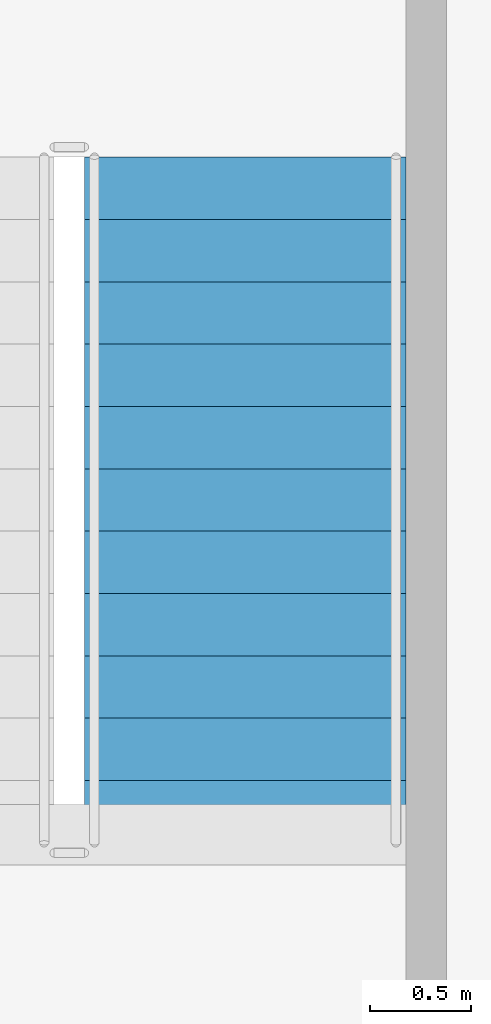
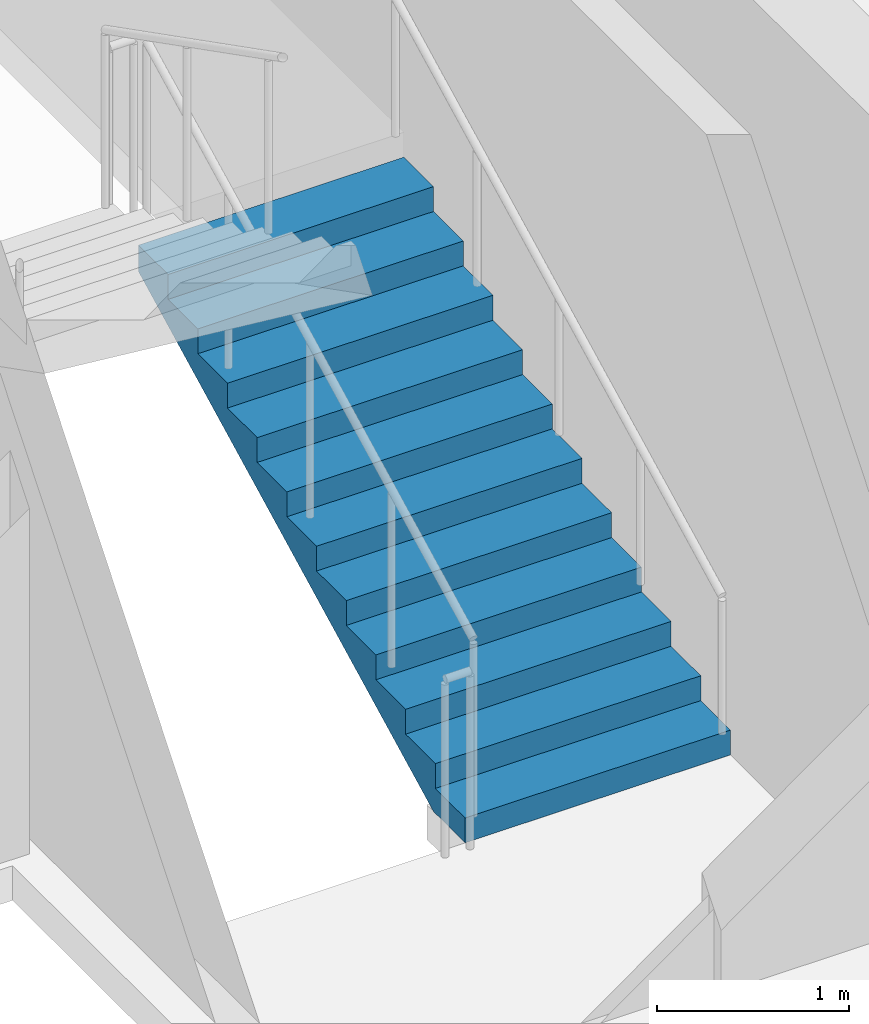
# One storey, part 13 of 20: 1 stair flight, 1 element without a shape of its own.
"""IFC4 building model written with IfcOpenShell, lengths in metres."""

import ifcopenshell
import ifcopenshell.guid

model = None  # the IFC model being written
_history = None  # IfcOwnerHistory: only IFC2X3 demands one
_inside = {}  # id of a spatial element -> (the spatial element, [elements in it])
_under = {}  # id of a project, library or spatial element -> (it, [spatial elements below it])
_declared = {}  # id of a project -> (the project, [libraries it declares])
_typed = {}  # id of a type object -> (the type object, [elements of that type])
_made_of = {}  # id of a material, layer set ... -> (it, [elements and type objects made of it])


def new_model(schema):
    """Start an empty IFC model of exactly this schema.

    Asked for "IFC4X3", IfcOpenShell would pick the latest addendum, in which some entities
    have other attributes; the version numbers below select the first issue.
    IFC2X3 requires an IfcOwnerHistory on every rooted entity: one is made here for all.
    """
    global model, _history
    if schema == "IFC4X3":
        model = ifcopenshell.file(schema_version=(4, 3, 0, 0))
    else:
        model = ifcopenshell.file(schema=schema)
    _inside.clear()
    _under.clear()
    _declared.clear()
    _typed.clear()
    _made_of.clear()
    _history = None
    if model.schema == "IFC2X3":
        org = make("IfcOrganization", Name="unknown")
        user = make(
            "IfcPersonAndOrganization",
            ThePerson=make("IfcPerson", FamilyName="unknown"),
            TheOrganization=org,
        )
        app = make(
            "IfcApplication",
            ApplicationDeveloper=org,
            Version="unknown",
            ApplicationFullName="unknown",
            ApplicationIdentifier="unknown",
        )
        _history = make(
            "IfcOwnerHistory",
            OwningUser=user,
            OwningApplication=app,
            ChangeAction="ADDED",
            CreationDate=0,
        )
    return model


def make(cls, **values):
    """One entity of the class cls with the attributes given. An attribute that is None is left unset."""
    return model.create_entity(
        cls, **{name: value for name, value in values.items() if value is not None}
    )


def rooted(cls, **values):
    """An entity with a GlobalId (a new one), such as an element, a storey or a relation."""
    return make(cls, GlobalId=ifcopenshell.guid.new(), OwnerHistory=_history, **values)


def si_unit(unit_type, name, prefix=None):
    """IfcSIUnit, for example si_unit("LENGTHUNIT", "METRE", prefix="MILLI")."""
    return make("IfcSIUnit", UnitType=unit_type, Prefix=prefix, Name=name)


def assignment(units):
    """IfcUnitAssignment: the units of a project."""
    return None if units is None else make("IfcUnitAssignment", Units=units)


def point(xyz):
    """IfcCartesianPoint."""
    return None if xyz is None else make("IfcCartesianPoint", Coordinates=xyz)


def direction(xyz):
    """IfcDirection."""
    return None if xyz is None else make("IfcDirection", DirectionRatios=xyz)


def frame(location, z_axis=None, x_axis=None):
    """IfcAxis2Placement3D, a coordinate frame: its origin and axes. An axis left out is left unset."""
    return make(
        "IfcAxis2Placement3D",
        Location=point(location),
        Axis=direction(z_axis),
        RefDirection=direction(x_axis),
    )


def origin():
    """The frame at (0, 0, 0) with its axes left unset."""
    return frame((0.0, 0.0, 0.0))


def place(relative_to, where):
    """IfcLocalPlacement: puts the frame where relative to a parent placement (None: the world)."""
    return make(
        "IfcLocalPlacement", PlacementRelTo=relative_to, RelativePlacement=where
    )


def context(
    kind, dimensions, precision=None, world=None, true_north=None, identifier=None
):
    """IfcGeometricRepresentationContext, for example the 3D "Model" context."""
    return make(
        "IfcGeometricRepresentationContext",
        ContextIdentifier=identifier,
        ContextType=kind,
        CoordinateSpaceDimension=dimensions,
        Precision=precision,
        WorldCoordinateSystem=world,
        TrueNorth=true_north,
    )


def subcontext(parent, identifier, kind, view, scale=None):
    """IfcGeometricRepresentationSubContext, for example "Body" below "Model"."""
    return make(
        "IfcGeometricRepresentationSubContext",
        ContextIdentifier=identifier,
        ContextType=kind,
        ParentContext=parent,
        TargetScale=scale,
        TargetView=view,
    )


def project(units=None, contexts=None):
    """IfcProject with its units and contexts."""
    return rooted(
        "IfcProject",
        Name="project",
        RepresentationContexts=contexts,
        UnitsInContext=assignment(units),
    )


def spatial(cls, under=None, at=None, **own):
    """A site, building, storey or space (cls), placed at a placement, below another one or the project."""
    s = rooted(cls, ObjectPlacement=at, **own)
    if under is not None:
        _under.setdefault(under.id(), (under, []))[1].append(s)
    return s


def polyline(points):
    """IfcPolyline through the points."""
    return make("IfcPolyline", Points=[point(p) for p in points])


def outline(outer, holes=None, kind="AREA"):
    """IfcArbitraryClosedProfileDef: a profile drawn as a closed curve; with holes, ...WithVoids."""
    if holes is None:
        return make("IfcArbitraryClosedProfileDef", ProfileType=kind, OuterCurve=outer)
    return make(
        "IfcArbitraryProfileDefWithVoids",
        ProfileType=kind,
        OuterCurve=outer,
        InnerCurves=holes,
    )


def extrude(swept, where, along, depth):
    """IfcExtrudedAreaSolid: the profile swept, set in the frame where, extruded along a direction by depth."""
    return make(
        "IfcExtrudedAreaSolid",
        SweptArea=swept,
        Position=where,
        ExtrudedDirection=direction(along),
        Depth=depth,
    )


def shape(context_of_items, identifier, shape_type, items):
    """IfcShapeRepresentation: the items that make up one representation, for example the "Body"."""
    return make(
        "IfcShapeRepresentation",
        ContextOfItems=context_of_items,
        RepresentationIdentifier=identifier,
        RepresentationType=shape_type,
        Items=items,
    )


def material(Name=None, Category=None):
    """IfcMaterial."""
    return make("IfcMaterial", Name=Name, Category=Category)


def made_of(thing, what):
    """Note that an element or type object is made of a material, layer set ...; save() writes the relation."""
    if what is not None:
        _made_of.setdefault(what.id(), (what, []))[1].append(thing)
    return thing


def type_object(cls, material=None, **own):
    """A type object (cls), such as IfcWallType, which elements share."""
    return made_of(rooted(cls, **own), material)


def element(
    cls,
    number,
    at=None,
    inside=None,
    cuts=None,
    type_object=None,
    material=None,
    context=None,
    identifier="Body",
    shape_type=None,
    held_by="IfcProductDefinitionShape",
    body=None,
    shapes=None,
    **own,
):
    """One element of the class cls, such as IfcWall. Its Tag is "e" and its number.

    at: its placement. inside: the storey or other place that contains it. cuts: it is an
    opening in that element (IfcRelVoidsElement). A single representation is given by context,
    identifier, shape_type and body (its items); several are given by shapes. held_by: the class
    of the entity that holds the representations. save() writes the other relations.
    """
    e = rooted(cls, Tag="e%d" % number, ObjectPlacement=at, **own)
    if body is not None:
        shapes = [shape(context, identifier, shape_type, body)]
    if shapes is not None:
        e.Representation = make(held_by, Representations=shapes)
    if inside is not None:
        _inside.setdefault(inside.id(), (inside, []))[1].append(e)
    if cuts is not None:
        rooted(
            "IfcRelVoidsElement", RelatingBuildingElement=cuts, RelatedOpeningElement=e
        )
    if type_object is not None:
        _typed.setdefault(type_object.id(), (type_object, []))[1].append(e)
    return made_of(e, material)


def aggregate(whole, parts):
    """IfcRelAggregates: a whole, such as a stair, and the parts it consists of."""
    return rooted("IfcRelAggregates", RelatingObject=whole, RelatedObjects=parts)


def save(model, path):
    """Write the relations noted so far, then the file.

    IfcRelAggregates (storeys below a building ...), IfcRelContainedInSpatialStructure (elements
    in a storey), IfcRelDefinesByType, IfcRelAssociatesMaterial and IfcRelDeclares: one each for
    every whole, place, type object, material and project.
    """
    for whole, parts in _under.values():
        aggregate(whole, parts)
    for where, things in _inside.values():
        rooted(
            "IfcRelContainedInSpatialStructure",
            RelatedElements=things,
            RelatingStructure=where,
        )
    for kind, things in _typed.values():
        rooted("IfcRelDefinesByType", RelatedObjects=things, RelatingType=kind)
    for what, things in _made_of.values():
        rooted("IfcRelAssociatesMaterial", RelatedObjects=things, RelatingMaterial=what)
    for by, libraries in _declared.values():
        rooted("IfcRelDeclares", RelatingContext=by, RelatedDefinitions=libraries)
    model.write(path)


model = new_model("IFC4")

# Units and contexts
model_context = context("Model", 3, precision=1e-05, world=origin(), true_north=direction((0.0, 1.0)))
body_context = subcontext(model_context, "Body", "Model", "MODEL_VIEW")
ifc_project = project(units=[si_unit("LENGTHUNIT", "METRE"), si_unit("AREAUNIT", "SQUARE_METRE"), si_unit("VOLUMEUNIT", "CUBIC_METRE"), si_unit("PLANEANGLEUNIT", "RADIAN"), si_unit("MASSUNIT", "GRAM", prefix="KILO")], contexts=[model_context])

# Site, building, storey
site_placement = place(None, origin())
site = spatial("IfcSite", under=ifc_project, at=site_placement, CompositionType="ELEMENT")
building_placement = place(site_placement, origin())
building = spatial("IfcBuilding", under=site, at=building_placement, Name="Vaeldorn Concourse Tower", CompositionType="ELEMENT")
storey_placement = place(building_placement, frame((0.0, 0.0, 280.199951171875)))
storey = spatial("IfcBuildingStorey", under=building, at=storey_placement, Name="L72", CompositionType="ELEMENT", Elevation=280.199951171875)

# Stair, stair flight
ifc_material = material(Name="Precast concrete C40/50", Category="concrete")
stair_type = type_object("IfcStairType", Name="STR-DOG-24x158", PredefinedType="HALF_TURN_STAIR", material=ifc_material)
stair_placement = place(storey_placement, origin())
stair = element("IfcStair", 1, at=stair_placement, inside=storey, type_object=stair_type, Name="L72 East Core Exit Stair ST-2", PredefinedType="HALF_TURN_STAIR")
stair_flight_type = type_object("IfcStairFlightType", Name="STF-STR-12x158", PredefinedType="STRAIGHT", material=ifc_material)
stair_flight_placement = place(storey_placement, frame((52.14990234375, 41.60009765625, 0.0), z_axis=(0.0, 0.0, 1.0), x_axis=(0.0, 1.0, 0.0)))
stair_flight = element("IfcStairFlight", 2, at=stair_flight_placement, type_object=stair_flight_type, Name="ST-2 flight 1", NumberOfRisers=12, NumberOfTreads=11, PredefinedType="STRAIGHT", RiserHeight=0.158333333, TreadLength=0.31, context=body_context, shape_type="SweptSolid", body=[
    extrude(outline(polyline([(0.0, 0.0), (0.0, 0.158447265625), (0.31005859375, 0.158447265625), (0.31005859375, 0.316650390625), (0.6201171875, 0.316650390625), (0.6201171875, 0.47509765625), (0.929931640625, 0.47509765625), (0.929931640625, 0.63330078125), (1.239990234375, 0.63330078125), (1.239990234375, 0.791748046875), (1.550048828125, 0.791748046875), (1.550048828125, 0.949951171875), (1.860107421875, 0.949951171875), (1.860107421875, 1.1083984375), (2.169921875, 1.1083984375), (2.169921875, 1.2666015625), (2.47998046875, 1.2666015625), (2.47998046875, 1.425048828125), (2.7900390625, 1.425048828125), (2.7900390625, 1.583251953125), (3.10009765625, 1.583251953125), (3.10009765625, 1.74169921875), (3.409912109375, 1.74169921875), (3.409912109375, 1.89990234375), (3.409912109375, 1.5732421875), (0.32958984375, 0.0), (0.0, 0.0)])), frame((0.0, 0.800048828125, 0.0), z_axis=(0.0, -1.0, 0.0), x_axis=(1.0, 0.0, 0.0)), (0.0, 0.0, 1.0), 1.60009765625),
])
aggregate(stair, [stair_flight])

save(model, "model.ifc")
